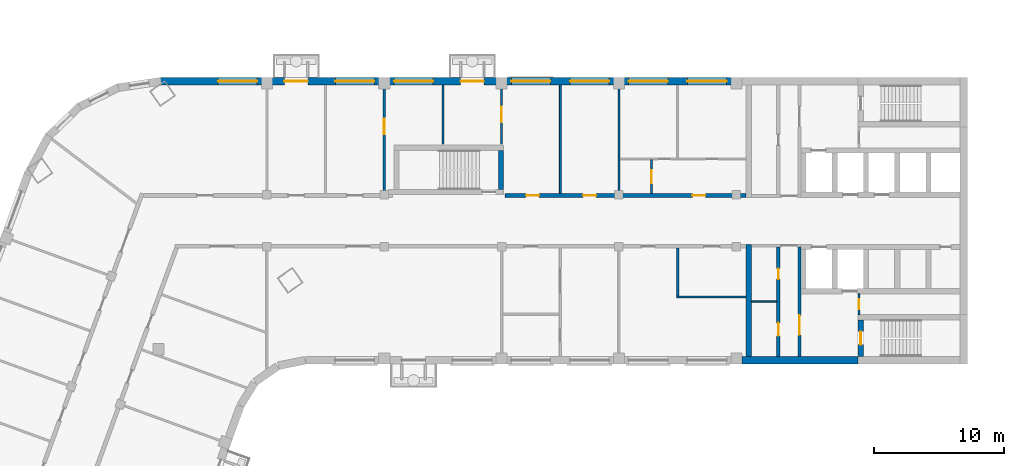
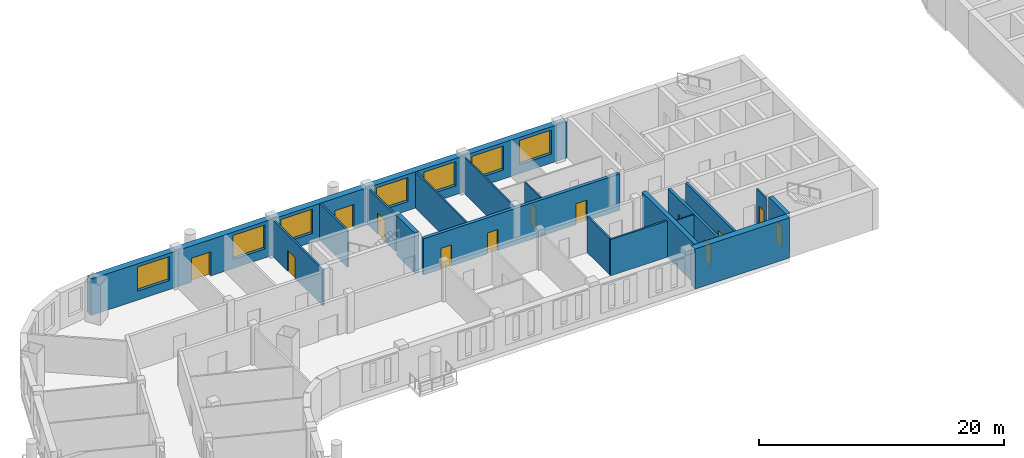
# One storey, part 5 of 16: 18 walls, 13 doors, 7 windows, 20 openings.
"""IFC4 building model written with IfcOpenShell, lengths in metres."""

from ifc_helpers import new_model, si_unit, direction, frame, frame_2d, origin, place, context, subcontext, project, spatial, rectangle, extrude, material, layer, layer_set, type_object, element, fill, save


model = new_model("IFC4")

# Units and contexts
model_context = context("Model", 3, precision=1e-05, world=origin(), true_north=direction((0.0, 1.0)))
body_context = subcontext(model_context, "Body", "Model", "MODEL_VIEW")
ifc_project = project(units=[si_unit("LENGTHUNIT", "METRE"), si_unit("AREAUNIT", "SQUARE_METRE"), si_unit("VOLUMEUNIT", "CUBIC_METRE"), si_unit("PLANEANGLEUNIT", "RADIAN"), si_unit("MASSUNIT", "GRAM", prefix="KILO")], contexts=[model_context])

# Site, building, storey
site_placement = place(None, origin())
site = spatial("IfcSite", under=ifc_project, at=site_placement, CompositionType="ELEMENT")
building_placement = place(site_placement, origin())
building = spatial("IfcBuilding", under=site, at=building_placement, Name="Skarvind Civic Tower", CompositionType="ELEMENT")
storey_placement = place(building_placement, frame((0.0, 0.0, 81.0)))
storey = spatial("IfcBuildingStorey", under=building, at=storey_placement, Name="L18", CompositionType="ELEMENT", Elevation=81.0)

# Wall, opening, door
ifc_material_1 = material(Name="Acoustic gypsum board on steel studs", Category="steel")
ifc_layer_1 = layer(ifc_material_1, 0.175048828125)
ifc_layer_set_1 = layer_set([ifc_layer_1], Name="ACOUSTIC MEETING-ROOM PARTITION 175")
wall_type_1 = type_object("IfcWallType", Name="ACOUSTIC MEETING-ROOM PARTITION 175", PredefinedType="PARTITIONING", material=ifc_layer_set_1)
wall_1_placement = place(storey_placement, frame((63.25, 130.10009765625, 0.0), z_axis=(0.0, 0.0, 1.0), x_axis=(0.0, 1.0, 0.0)))
wall_1 = element("IfcWall", 1, at=wall_1_placement, inside=storey, type_object=wall_type_1, Name="Partition 18.019", PredefinedType="PARTITIONING", context=body_context, shape_type="SweptSolid", body=[
    extrude(rectangle(XDim=8.2998046875, YDim=0.175048828125, at=frame_2d((4.14990234375, 0.0))), origin(), (0.0, 0.0, 1.0), 3.625),
])
opening_1_placement = place(wall_1_placement, frame((4.5400390625, 0.0, 0.0)))
opening_1 = element("IfcOpeningElement", 2, at=opening_1_placement, cuts=wall_1, Name="Opening L18-D008", PredefinedType="OPENING", context=body_context, shape_type="SweptSolid", body=[
    extrude(rectangle(XDim=1.199951171875, YDim=2.10009765625, at=frame_2d((0.60009765625, 1.050048828125))), frame((0.0, 0.097412109375, 0.0), z_axis=(0.0, -1.0, 0.0), x_axis=(1.0, 0.0, 0.0)), (0.0, 0.0, 1.0), 0.195068359375),
])
ifc_material_2 = material(Name="Timber door leaf", Category="wood")
door_type_1 = type_object("IfcDoorType", Name="DOOR 1200X2100 DOUBLE TIMBER", OperationType="NOTDEFINED", PredefinedType="DOOR", material=ifc_material_2)
door_1_placement = place(opening_1_placement, origin())
door_1 = element("IfcDoor", 3, at=door_1_placement, inside=storey, type_object=door_type_1, Name="Door L18-D008", OperationType="DOUBLE_DOOR_SINGLE_SWING", OverallHeight=2.10009765625, OverallWidth=1.199951171875, PredefinedType="DOOR", context=body_context, shape_type="SweptSolid", body=[
    extrude(rectangle(XDim=1.199951171875, YDim=2.10009765625, at=frame_2d((0.60009765625, 1.050048828125))), frame((0.0, 0.02490234375, 0.0), z_axis=(0.0, -1.0, 0.0), x_axis=(1.0, 0.0, 0.0)), (0.0, 0.0, 1.0), 0.050048828125),
])
fill(opening_1, door_1)

# Wall
wall_2_placement = place(storey_placement, frame((67.75, 133.89990234375, 0.0), z_axis=(0.0, 0.0, 1.0), x_axis=(0.0, 1.0, 0.0)))
element("IfcWall", 4, at=wall_2_placement, inside=storey, type_object=wall_type_1, Name="Partition 18.020", PredefinedType="PARTITIONING", context=body_context, shape_type="SweptSolid", body=[
    extrude(rectangle(XDim=4.5, YDim=0.175048828125, at=frame_2d((2.25, 0.0))), origin(), (0.0, 0.0, 1.0), 3.625),
])

# Wall, opening, door
wall_3_placement = place(storey_placement, frame((72.25, 133.89990234375, 0.0), z_axis=(0.0, 0.0, 1.0), x_axis=(0.0, 1.0, 0.0)))
wall_3 = element("IfcWall", 5, at=wall_3_placement, inside=storey, type_object=wall_type_1, Name="Partition 18.023", PredefinedType="PARTITIONING", context=body_context, shape_type="SweptSolid", body=[
    extrude(rectangle(XDim=4.5, YDim=0.175048828125, at=frame_2d((2.25, 0.0))), origin(), (0.0, 0.0, 1.0), 3.625),
])
opening_2_placement = place(wall_3_placement, frame((1.64990234375, 0.0, 0.0)))
opening_2 = element("IfcOpeningElement", 6, at=opening_2_placement, cuts=wall_3, Name="Opening L18-D007", PredefinedType="OPENING", context=body_context, shape_type="SweptSolid", body=[
    extrude(rectangle(XDim=1.199951171875, YDim=2.10009765625, at=frame_2d((0.60009765625, 1.050048828125))), frame((0.0, 0.097412109375, 0.0), z_axis=(0.0, -1.0, 0.0), x_axis=(1.0, 0.0, 0.0)), (0.0, 0.0, 1.0), 0.195068359375),
])
door_2_placement = place(opening_2_placement, origin())
door_2 = element("IfcDoor", 7, at=door_2_placement, inside=storey, type_object=door_type_1, Name="Door L18-D007", OperationType="DOUBLE_DOOR_SINGLE_SWING", OverallHeight=2.10009765625, OverallWidth=1.199951171875, PredefinedType="DOOR", context=body_context, shape_type="SweptSolid", body=[
    extrude(rectangle(XDim=1.199951171875, YDim=2.10009765625, at=frame_2d((0.60009765625, 1.050048828125))), frame((0.0, 0.02490234375, 0.0), z_axis=(0.0, -1.0, 0.0), x_axis=(1.0, 0.0, 0.0)), (0.0, 0.0, 1.0), 0.050048828125),
])
fill(opening_2, door_2)

# Walls
wall_4_placement = place(storey_placement, frame((85.75, 122.238037109375, 0.0), z_axis=(0.0, 0.0, 1.0), x_axis=(0.0, 1.0, 0.0)))
element("IfcWall", 8, at=wall_4_placement, inside=storey, type_object=wall_type_1, Name="Partition 18.031", PredefinedType="PARTITIONING", context=body_context, shape_type="SweptSolid", body=[
    extrude(rectangle(XDim=3.661865234375, YDim=0.175048828125, at=frame_2d((1.8310546875, 0.0))), origin(), (0.0, 0.0, 1.0), 3.625),
])
wall_5_placement = place(storey_placement, frame((91.0, 122.14990234375, 0.0), z_axis=(0.0, 0.0, 1.0), x_axis=(-1.0, 0.0, 0.0)))
element("IfcWall", 9, at=wall_5_placement, inside=storey, type_object=wall_type_1, Name="Partition 18.033", PredefinedType="PARTITIONING", context=body_context, shape_type="SweptSolid", body=[
    extrude(rectangle(XDim=5.337890625, YDim=0.175048828125, at=frame_2d((2.6689453125, 0.0))), origin(), (0.0, 0.0, 1.0), 3.625),
])

# Wall, openings, doors
ifc_material_3 = material(Name="Fire-rated gypsum board on steel studs", Category="steel")
ifc_layer_2 = layer(ifc_material_3, 0.300048828125)
ifc_layer_set_2 = layer_set([ifc_layer_2], Name="CORRIDOR WALL 300")
wall_type_2 = type_object("IfcWallType", Name="CORRIDOR WALL 300", PredefinedType="PARTITIONING", material=ifc_layer_set_2)
wall_6_placement = place(storey_placement, frame((72.5, 129.949951171875, 0.0), z_axis=(0.0, 0.0, 1.0), x_axis=(1.0, 0.0, 0.0)))
wall_6 = element("IfcWall", 10, at=wall_6_placement, inside=storey, type_object=wall_type_2, Name="Partition 18.024", PredefinedType="PARTITIONING", context=body_context, shape_type="SweptSolid", body=[
    extrude(rectangle(XDim=18.5, YDim=0.300048828125, at=frame_2d((9.25, 0.0))), origin(), (0.0, 0.0, 1.0), 3.625),
])
opening_3_placement = place(wall_6_placement, frame((14.375, 0.0, 0.0)))
opening_3 = element("IfcOpeningElement", 11, at=opening_3_placement, cuts=wall_6, Name="Opening L18-D001", PredefinedType="OPENING", context=body_context, shape_type="SweptSolid", body=[
    extrude(rectangle(XDim=1.0, YDim=2.10009765625, at=frame_2d((0.5, 1.050048828125))), frame((0.0, 0.159912109375, 0.0), z_axis=(0.0, -1.0, 0.0), x_axis=(1.0, 0.0, 0.0)), (0.0, 0.0, 1.0), 0.320068359375),
])
opening_4_placement = place(wall_6_placement, frame((6.0, 0.0, 0.0)))
opening_4 = element("IfcOpeningElement", 12, at=opening_4_placement, cuts=wall_6, Name="Opening L18-D005", PredefinedType="OPENING", context=body_context, shape_type="SweptSolid", body=[
    extrude(rectangle(XDim=1.0, YDim=2.10009765625, at=frame_2d((0.5, 1.050048828125))), frame((0.0, 0.159912109375, 0.0), z_axis=(0.0, -1.0, 0.0), x_axis=(1.0, 0.0, 0.0)), (0.0, 0.0, 1.0), 0.320068359375),
])
opening_5_placement = place(wall_6_placement, frame((1.625, 0.0, 0.0)))
opening_5 = element("IfcOpeningElement", 13, at=opening_5_placement, cuts=wall_6, Name="Opening L18-D006", PredefinedType="OPENING", context=body_context, shape_type="SweptSolid", body=[
    extrude(rectangle(XDim=1.0, YDim=2.10009765625, at=frame_2d((0.5, 1.050048828125))), frame((0.0, 0.159912109375, 0.0), z_axis=(0.0, -1.0, 0.0), x_axis=(1.0, 0.0, 0.0)), (0.0, 0.0, 1.0), 0.320068359375),
])
ifc_material_4 = material(Name="Fire-rated timber door leaf", Category="wood")
door_type_2 = type_object("IfcDoorType", Name="FD1 1000x2100", OperationType="NOTDEFINED", PredefinedType="DOOR", material=ifc_material_4)
door_3_placement = place(opening_3_placement, origin())
door_3 = element("IfcDoor", 14, at=door_3_placement, inside=storey, type_object=door_type_2, Name="Door L18-D001", OperationType="SINGLE_SWING_LEFT", OverallHeight=2.10009765625, OverallWidth=1.0, PredefinedType="DOOR", context=body_context, shape_type="SweptSolid", body=[
    extrude(rectangle(XDim=1.0, YDim=2.10009765625, at=frame_2d((0.5, 1.050048828125))), frame((0.0, 0.02490234375, 0.0), z_axis=(0.0, -1.0, 0.0), x_axis=(1.0, 0.0, 0.0)), (0.0, 0.0, 1.0), 0.050048828125),
])
fill(opening_3, door_3)
door_4_placement = place(opening_4_placement, origin())
door_4 = element("IfcDoor", 15, at=door_4_placement, inside=storey, type_object=door_type_2, Name="Door L18-D005", OperationType="SINGLE_SWING_RIGHT", OverallHeight=2.10009765625, OverallWidth=1.0, PredefinedType="DOOR", context=body_context, shape_type="SweptSolid", body=[
    extrude(rectangle(XDim=1.0, YDim=2.10009765625, at=frame_2d((0.5, 1.050048828125))), frame((0.0, 0.02490234375, 0.0), z_axis=(0.0, -1.0, 0.0), x_axis=(1.0, 0.0, 0.0)), (0.0, 0.0, 1.0), 0.050048828125),
])
fill(opening_4, door_4)
door_5_placement = place(opening_5_placement, origin())
door_5 = element("IfcDoor", 16, at=door_5_placement, inside=storey, type_object=door_type_2, Name="Door L18-D006", OperationType="SINGLE_SWING_LEFT", OverallHeight=2.10009765625, OverallWidth=1.0, PredefinedType="DOOR", context=body_context, shape_type="SweptSolid", body=[
    extrude(rectangle(XDim=1.0, YDim=2.10009765625, at=frame_2d((0.5, 1.050048828125))), frame((0.0, 0.02490234375, 0.0), z_axis=(0.0, -1.0, 0.0), x_axis=(1.0, 0.0, 0.0)), (0.0, 0.0, 1.0), 0.050048828125),
])
fill(opening_5, door_5)

# Wall, opening, door
ifc_material_5 = material(Name="Fire-rated masonry partition", Category="masonry")
ifc_layer_3 = layer(ifc_material_5, 0.199951171875)
ifc_layer_set_3 = layer_set([ifc_layer_3], Name="Core enclosure wall 200")
wall_type_3 = type_object("IfcWallType", Name="Core enclosure wall 200", PredefinedType="PARTITIONING", material=ifc_layer_set_3)
wall_7_placement = place(storey_placement, frame((95.10009765625, 117.60009765625, 0.0), z_axis=(0.0, 0.0, 1.0), x_axis=(0.0, 1.0, 0.0)))
wall_7 = element("IfcWall", 17, at=wall_7_placement, inside=storey, type_object=wall_type_3, Name="Core wall C1", PredefinedType="PARTITIONING", context=body_context, shape_type="SweptSolid", body=[
    extrude(rectangle(XDim=8.39990234375, YDim=0.199951171875, at=frame_2d((4.199951171875, 0.0))), origin(), (0.0, 0.0, 1.0), 3.625),
])
opening_6_placement = place(wall_7_placement, frame((1.64990234375, 0.0, 0.0)))
opening_6 = element("IfcOpeningElement", 18, at=opening_6_placement, cuts=wall_7, Name="Opening D-L18-C1-06", PredefinedType="OPENING", context=body_context, shape_type="SweptSolid", body=[
    extrude(rectangle(XDim=1.5, YDim=2.10009765625, at=frame_2d((0.75, 1.050048828125))), frame((0.0, 0.10986328125, 0.0), z_axis=(0.0, -1.0, 0.0), x_axis=(1.0, 0.0, 0.0)), (0.0, 0.0, 1.0), 0.219970703125),
])
ifc_material_6 = material(Name="Fire-rated steel door", Category="steel")
door_type_3 = type_object("IfcDoorType", Name="Fire door 1500", OperationType="NOTDEFINED", PredefinedType="DOOR", material=ifc_material_6)
door_6_placement = place(opening_6_placement, origin())
door_6 = element("IfcDoor", 19, at=door_6_placement, inside=storey, type_object=door_type_3, Name="Fire door", OperationType="DOUBLE_DOOR_SINGLE_SWING", OverallHeight=2.10009765625, OverallWidth=1.5, PredefinedType="DOOR", context=body_context, shape_type="SweptSolid", body=[
    extrude(rectangle(XDim=1.5, YDim=2.10009765625, at=frame_2d((0.75, 1.050048828125))), frame((0.0, 0.02490234375, 0.0), z_axis=(0.0, -1.0, 0.0), x_axis=(1.0, 0.0, 0.0)), (0.0, 0.0, 1.0), 0.050048828125),
])
fill(opening_6, door_6)

# Wall
ifc_material_7 = material(Name="Fire-rated plasterboard partition")
ifc_layer_4 = layer(ifc_material_7, 0.10009765625)
ifc_layer_set_4 = layer_set([ifc_layer_4], Name="Core partition wall 100")
wall_type_4 = type_object("IfcWallType", Name="Core partition wall 100", PredefinedType="PARTITIONING", material=ifc_layer_set_4)
wall_8_placement = place(storey_placement, frame((93.35009765625, 121.800048828125, 0.0), z_axis=(0.0, 0.0, 1.0), x_axis=(-1.0, 0.0, 0.0)))
element("IfcWall", 20, at=wall_8_placement, inside=storey, type_object=wall_type_4, Name="Core wall C1", PredefinedType="PARTITIONING", context=body_context, shape_type="SweptSolid", body=[
    extrude(rectangle(XDim=1.9501953125, YDim=0.10009765625, at=frame_2d((0.97509765625, 0.0))), origin(), (0.0, 0.0, 1.0), 3.625),
])

# Wall, opening, door
ifc_material_8 = material(Name="Concrete C80", Category="concrete")
ifc_layer_5 = layer(ifc_material_8, 0.39990234375)
ifc_layer_set_5 = layer_set([ifc_layer_5], Name="Core wall 400 C80")
wall_type_5 = type_object("IfcWallType", Name="Core wall 400 C80", PredefinedType="SHEAR", material=ifc_layer_set_5)
wall_9_placement = place(storey_placement, frame((99.800048828125, 120.39990234375, 0.0), z_axis=(0.0, 0.0, 1.0), x_axis=(0.0, -1.0, 0.0)))
wall_9 = element("IfcWall", 21, at=wall_9_placement, inside=storey, type_object=wall_type_5, Name="Core wall C1 north stair end L18", PredefinedType="SHEAR", context=body_context, shape_type="SweptSolid", body=[
    extrude(rectangle(XDim=2.7998046875, YDim=0.39990234375, at=frame_2d((1.39990234375, 0.0))), origin(), (0.0, 0.0, 1.0), 4.0),
])
opening_7_placement = place(wall_9_placement, frame((0.89990234375, 0.0, 0.0)))
opening_7 = element("IfcOpeningElement", 22, at=opening_7_placement, cuts=wall_9, Name="Opening D-L18-C1-07", PredefinedType="OPENING", context=body_context, shape_type="SweptSolid", body=[
    extrude(rectangle(XDim=1.0, YDim=2.10009765625, at=frame_2d((0.5, 1.050048828125))), frame((0.0, 0.2099609375, 0.0), z_axis=(0.0, -1.0, 0.0), x_axis=(1.0, 0.0, 0.0)), (0.0, 0.0, 1.0), 0.419921875),
])
door_type_4 = type_object("IfcDoorType", Name="Fire door 1000", OperationType="NOTDEFINED", PredefinedType="DOOR", material=ifc_material_6)
door_7_placement = place(opening_7_placement, origin())
door_7 = element("IfcDoor", 23, at=door_7_placement, inside=storey, type_object=door_type_4, Name="Fire door", OperationType="SINGLE_SWING_LEFT", OverallHeight=2.10009765625, OverallWidth=1.0, PredefinedType="DOOR", context=body_context, shape_type="SweptSolid", body=[
    extrude(rectangle(XDim=1.0, YDim=2.10009765625, at=frame_2d((0.5, 1.050048828125))), frame((0.0, 0.02490234375, 0.0), z_axis=(0.0, -1.0, 0.0), x_axis=(1.0, 0.0, 0.0)), (0.0, 0.0, 1.0), 0.050048828125),
])
fill(opening_7, door_7)

# Walls
wall_10_placement = place(storey_placement, frame((91.199951171875, 126.199951171875, 0.0), z_axis=(0.0, 0.0, 1.0), x_axis=(0.0, -1.0, 0.0)))
element("IfcWall", 24, at=wall_10_placement, inside=storey, type_object=wall_type_5, Name="Core wall C1 north inner face L18", PredefinedType="SHEAR", context=body_context, shape_type="SweptSolid", body=[
    extrude(rectangle(XDim=8.599853515625, YDim=0.39990234375, at=frame_2d((4.2998046875, 0.0))), origin(), (0.0, 0.0, 1.0), 4.0),
])
wall_11_placement = place(storey_placement, frame((72.199951171875, 130.39990234375, 0.0), z_axis=(0.0, 0.0, 1.0), x_axis=(0.0, 1.0, 0.0)))
element("IfcWall", 25, at=wall_11_placement, inside=storey, type_object=wall_type_5, Name="Core wall CM end L18", PredefinedType="SHEAR", context=body_context, shape_type="SweptSolid", body=[
    extrude(rectangle(XDim=3.0, YDim=0.39990234375, at=frame_2d((1.5, 0.0))), origin(), (0.0, 0.0, 1.0), 4.0),
])
ifc_layer_6 = layer(ifc_material_8, 0.60009765625)
ifc_layer_set_6 = layer_set([ifc_layer_6], Name="Core wall 600 C80")
wall_type_6 = type_object("IfcWallType", Name="Core wall 600 C80", PredefinedType="SHEAR", material=ifc_layer_set_6)
wall_12_placement = place(storey_placement, frame((99.60009765625, 117.300048828125, 0.0), z_axis=(0.0, 0.0, 1.0), x_axis=(-1.0, 0.0, 0.0)))
element("IfcWall", 26, at=wall_12_placement, inside=storey, type_object=wall_type_6, Name="Core wall C1 north side L18", PredefinedType="SHEAR", context=body_context, shape_type="SweptSolid", body=[
    extrude(rectangle(XDim=8.925048828125, YDim=0.60009765625, at=frame_2d((4.46240234375, 0.0))), origin(), (0.0, 0.0, 1.0), 4.0),
])
ifc_material_9 = material(Name="Plasterboard partition on steel studs", Category="steel")
ifc_layer_7 = layer(ifc_material_9, 0.14990234375)
ifc_layer_set_7 = layer_set([ifc_layer_7], Name="PARTITION 150")
wall_type_7 = type_object("IfcWallType", Name="PARTITION 150", PredefinedType="PARTITIONING", material=ifc_layer_set_7)
wall_13_placement = place(storey_placement, frame((76.75, 130.10009765625, 0.0), z_axis=(0.0, 0.0, 1.0), x_axis=(0.0, 1.0, 0.0)))
element("IfcWall", 27, at=wall_13_placement, inside=storey, type_object=wall_type_7, Name="Partition 18.026", PredefinedType="PARTITIONING", context=body_context, shape_type="SweptSolid", body=[
    extrude(rectangle(XDim=8.2998046875, YDim=0.14990234375, at=frame_2d((4.14990234375, 0.0))), origin(), (0.0, 0.0, 1.0), 3.625),
])

# Wall, opening, door
ifc_layer_8 = layer(ifc_material_5, 0.125)
ifc_layer_set_8 = layer_set([ifc_layer_8], Name="Riser wall 125")
wall_type_8 = type_object("IfcWallType", Name="Riser wall 125", PredefinedType="PARTITIONING", material=ifc_layer_set_8)
wall_14_placement = place(storey_placement, frame((99.66259765625, 120.800048828125, 0.0), z_axis=(0.0, 0.0, 1.0), x_axis=(0.0, 1.0, 0.0)))
wall_14 = element("IfcWall", 28, at=wall_14_placement, inside=storey, type_object=wall_type_8, Name="Core wall C1", PredefinedType="PARTITIONING", context=body_context, shape_type="SweptSolid", body=[
    extrude(rectangle(XDim=1.599853515625, YDim=0.125, at=frame_2d((0.7998046875, 0.0))), origin(), (0.0, 0.0, 1.0), 3.625),
])
opening_8_placement = place(wall_14_placement, frame((0.39990234375, 0.0, 0.0)))
opening_8 = element("IfcOpeningElement", 29, at=opening_8_placement, cuts=wall_14, Name="Opening D-L18-C1-08", PredefinedType="OPENING", context=body_context, shape_type="SweptSolid", body=[
    extrude(rectangle(XDim=0.800048828125, YDim=2.10009765625, at=frame_2d((0.39990234375, 1.050048828125))), frame((0.0, 0.072509765625, 0.0), z_axis=(0.0, -1.0, 0.0), x_axis=(1.0, 0.0, 0.0)), (0.0, 0.0, 1.0), 0.14501953125),
])
door_type_5 = type_object("IfcDoorType", Name="Core riser door 800", OperationType="NOTDEFINED", PredefinedType="DOOR", material=ifc_material_6)
door_8_placement = place(opening_8_placement, origin())
door_8 = element("IfcDoor", 30, at=door_8_placement, inside=storey, type_object=door_type_5, Name="Riser door", OperationType="SINGLE_SWING_RIGHT", OverallHeight=2.10009765625, OverallWidth=0.800048828125, PredefinedType="DOOR", context=body_context, shape_type="SweptSolid", body=[
    extrude(rectangle(XDim=0.800048828125, YDim=2.10009765625, at=frame_2d((0.39990234375, 1.050048828125))), frame((0.0, 0.02490234375, 0.0), z_axis=(0.0, -1.0, 0.0), x_axis=(1.0, 0.0, 0.0)), (0.0, 0.0, 1.0), 0.050048828125),
])
fill(opening_8, door_8)

# Wall, openings, doors
ifc_layer_9 = layer(ifc_material_5, 0.25)
ifc_layer_set_9 = layer_set([ifc_layer_9], Name="Service block wall 250")
wall_type_9 = type_object("IfcWallType", Name="Service block wall 250", PredefinedType="PARTITIONING", material=ifc_layer_set_9)
wall_15_placement = place(storey_placement, frame((93.47509765625, 117.60009765625, 0.0), z_axis=(0.0, 0.0, 1.0), x_axis=(0.0, 1.0, 0.0)))
wall_15 = element("IfcWall", 31, at=wall_15_placement, inside=storey, type_object=wall_type_9, Name="Core wall C1", PredefinedType="PARTITIONING", context=body_context, shape_type="SweptSolid", body=[
    extrude(rectangle(XDim=8.39990234375, YDim=0.25, at=frame_2d((4.199951171875, 0.0))), origin(), (0.0, 0.0, 1.0), 3.625),
])
opening_9_placement = place(wall_15_placement, frame((5.925048828125, 0.0, 0.0)))
opening_9 = element("IfcOpeningElement", 32, at=opening_9_placement, cuts=wall_15, Name="Opening D-L18-C1-09", PredefinedType="OPENING", context=body_context, shape_type="SweptSolid", body=[
    extrude(rectangle(XDim=0.800048828125, YDim=2.10009765625, at=frame_2d((0.39990234375, 1.050048828125))), frame((0.0, 0.135009765625, 0.0), z_axis=(0.0, -1.0, 0.0), x_axis=(1.0, 0.0, 0.0)), (0.0, 0.0, 1.0), 0.27001953125),
])
opening_10_placement = place(wall_15_placement, frame((1.574951171875, 0.0, 0.0)))
opening_10 = element("IfcOpeningElement", 33, at=opening_10_placement, cuts=wall_15, Name="Opening D-L18-C1-10", PredefinedType="OPENING", context=body_context, shape_type="SweptSolid", body=[
    extrude(rectangle(XDim=1.0, YDim=2.10009765625, at=frame_2d((0.5, 1.050048828125))), frame((0.0, 0.135009765625, 0.0), z_axis=(0.0, -1.0, 0.0), x_axis=(1.0, 0.0, 0.0)), (0.0, 0.0, 1.0), 0.27001953125),
])
door_9_placement = place(opening_9_placement, origin())
door_9 = element("IfcDoor", 34, at=door_9_placement, inside=storey, type_object=door_type_5, Name="Riser door", OperationType="SINGLE_SWING_LEFT", OverallHeight=2.10009765625, OverallWidth=0.800048828125, PredefinedType="DOOR", context=body_context, shape_type="SweptSolid", body=[
    extrude(rectangle(XDim=0.800048828125, YDim=2.10009765625, at=frame_2d((0.39990234375, 1.050048828125))), frame((0.0, 0.02490234375, 0.0), z_axis=(0.0, -1.0, 0.0), x_axis=(1.0, 0.0, 0.0)), (0.0, 0.0, 1.0), 0.050048828125),
])
fill(opening_9, door_9)
door_10_placement = place(opening_10_placement, origin())
door_10 = element("IfcDoor", 35, at=door_10_placement, inside=storey, type_object=door_type_4, Name="Fire door", OperationType="SINGLE_SWING_RIGHT", OverallHeight=2.10009765625, OverallWidth=1.0, PredefinedType="DOOR", context=body_context, shape_type="SweptSolid", body=[
    extrude(rectangle(XDim=1.0, YDim=2.10009765625, at=frame_2d((0.5, 1.050048828125))), frame((0.0, 0.02490234375, 0.0), z_axis=(0.0, -1.0, 0.0), x_axis=(1.0, 0.0, 0.0)), (0.0, 0.0, 1.0), 0.050048828125),
])
fill(opening_10, door_10)

# Wall
ifc_material_10 = material(Name="Moisture-resistant gypsum board on steel studs", Category="steel")
ifc_layer_10 = layer(ifc_material_10, 0.125)
ifc_layer_set_10 = layer_set([ifc_layer_10], Name="WC PARTITION 125")
wall_type_10 = type_object("IfcWallType", Name="WC PARTITION 125", PredefinedType="PARTITIONING", material=ifc_layer_set_10)
wall_16_placement = place(storey_placement, frame((81.25, 130.10009765625, 0.0), z_axis=(0.0, 0.0, 1.0), x_axis=(0.0, 1.0, 0.0)))
element("IfcWall", 36, at=wall_16_placement, inside=storey, type_object=wall_type_10, Name="Partition 18.028", PredefinedType="PARTITIONING", context=body_context, shape_type="SweptSolid", body=[
    extrude(rectangle(XDim=8.2998046875, YDim=0.125, at=frame_2d((4.14990234375, 0.0))), origin(), (0.0, 0.0, 1.0), 3.625),
])

# Wall, opening, door
wall_17_placement = place(storey_placement, frame((83.75, 130.10009765625, 0.0), z_axis=(0.0, 0.0, 1.0), x_axis=(0.0, 1.0, 0.0)))
wall_17 = element("IfcWall", 37, at=wall_17_placement, inside=storey, type_object=wall_type_10, Name="Partition 18.030", PredefinedType="PARTITIONING", context=body_context, shape_type="SweptSolid", body=[
    extrude(rectangle(XDim=2.587890625, YDim=0.125, at=frame_2d((1.2939453125, 0.0))), origin(), (0.0, 0.0, 1.0), 3.625),
])
opening_11_placement = place(wall_17_placement, frame((0.7939453125, 0.0, 0.0)))
opening_11 = element("IfcOpeningElement", 38, at=opening_11_placement, cuts=wall_17, Name="Opening L18-D002", PredefinedType="OPENING", context=body_context, shape_type="SweptSolid", body=[
    extrude(rectangle(XDim=1.0, YDim=2.10009765625, at=frame_2d((0.5, 1.050048828125))), frame((0.0, 0.072509765625, 0.0), z_axis=(0.0, -1.0, 0.0), x_axis=(1.0, 0.0, 0.0)), (0.0, 0.0, 1.0), 0.14501953125),
])
door_type_6 = type_object("IfcDoorType", Name="D1 1000x2100", OperationType="NOTDEFINED", PredefinedType="DOOR", material=ifc_material_2)
door_11_placement = place(opening_11_placement, origin())
door_11 = element("IfcDoor", 39, at=door_11_placement, inside=storey, type_object=door_type_6, Name="Door L18-D002", OperationType="SINGLE_SWING_RIGHT", OverallHeight=2.10009765625, OverallWidth=1.0, PredefinedType="DOOR", context=body_context, shape_type="SweptSolid", body=[
    extrude(rectangle(XDim=1.0, YDim=2.10009765625, at=frame_2d((0.5, 1.050048828125))), frame((0.0, 0.02490234375, 0.0), z_axis=(0.0, -1.0, 0.0), x_axis=(1.0, 0.0, 0.0)), (0.0, 0.0, 1.0), 0.050048828125),
])
fill(opening_11, door_11)

# Wall, openings, doors, windows
ifc_material_11 = material(Name="Limestone masonry cladding on insulated backing", Category="masonry")
ifc_layer_11 = layer(ifc_material_11, 0.60009765625)
ifc_layer_set_11 = layer_set([ifc_layer_11], Name="WX1 STONE FACADE WALL 600")
wall_type_11 = type_object("IfcWallType", Name="WX1 STONE FACADE WALL 600", PredefinedType="SOLIDWALL", material=ifc_layer_set_11)
wall_18_placement = place(storey_placement, frame((46.095458984375, 138.699951171875, 0.0), z_axis=(0.0, 0.0, 1.0), x_axis=(1.0, 0.0, 0.0)))
wall_18 = element("IfcWall", 40, at=wall_18_placement, inside=storey, type_object=wall_type_11, Name="STONE FACADE WALL", PredefinedType="SOLIDWALL", context=body_context, shape_type="SweptSolid", body=[
    extrude(rectangle(XDim=44.884521484375, YDim=0.60009765625, at=frame_2d((22.4423828125, 0.0))), origin(), (0.0, 0.0, 1.0), 3.625),
])
opening_12_placement = place(wall_18_placement, frame((4.404541015625, 0.0, 0.89990234375)))
opening_12 = element("IfcOpeningElement", 41, at=opening_12_placement, cuts=wall_18, Name="Opening WN1", PredefinedType="OPENING", context=body_context, shape_type="SweptSolid", body=[
    extrude(rectangle(XDim=3.0, YDim=2.39990234375, at=frame_2d((1.5, 1.199951171875))), frame((0.0, 0.31005859375, 0.0), z_axis=(0.0, -1.0, 0.0), x_axis=(1.0, 0.0, 0.0)), (0.0, 0.0, 1.0), 0.6201171875),
])
opening_13_placement = place(wall_18_placement, frame((9.50439453125, 0.0, 0.0)))
opening_13 = element("IfcOpeningElement", 42, at=opening_13_placement, cuts=wall_18, Name="Opening DX3", PredefinedType="OPENING", context=body_context, shape_type="SweptSolid", body=[
    extrude(rectangle(XDim=1.800048828125, YDim=2.39990234375, at=frame_2d((0.89990234375, 1.199951171875))), frame((0.0, 0.31005859375, 0.0), z_axis=(0.0, -1.0, 0.0), x_axis=(1.0, 0.0, 0.0)), (0.0, 0.0, 1.0), 0.6201171875),
])
opening_14_placement = place(wall_18_placement, frame((13.404541015625, 0.0, 0.89990234375)))
opening_14 = element("IfcOpeningElement", 43, at=opening_14_placement, cuts=wall_18, Name="Opening WN1", PredefinedType="OPENING", context=body_context, shape_type="SweptSolid", body=[
    extrude(rectangle(XDim=3.0, YDim=2.39990234375, at=frame_2d((1.5, 1.199951171875))), frame((0.0, 0.31005859375, 0.0), z_axis=(0.0, -1.0, 0.0), x_axis=(1.0, 0.0, 0.0)), (0.0, 0.0, 1.0), 0.6201171875),
])
opening_15_placement = place(wall_18_placement, frame((17.904541015625, 0.0, 0.89990234375)))
opening_15 = element("IfcOpeningElement", 44, at=opening_15_placement, cuts=wall_18, Name="Opening WN1", PredefinedType="OPENING", context=body_context, shape_type="SweptSolid", body=[
    extrude(rectangle(XDim=3.0, YDim=2.39990234375, at=frame_2d((1.5, 1.199951171875))), frame((0.0, 0.31005859375, 0.0), z_axis=(0.0, -1.0, 0.0), x_axis=(1.0, 0.0, 0.0)), (0.0, 0.0, 1.0), 0.6201171875),
])
opening_16_placement = place(wall_18_placement, frame((23.00439453125, 0.0, 0.0)))
opening_16 = element("IfcOpeningElement", 45, at=opening_16_placement, cuts=wall_18, Name="Opening DX3", PredefinedType="OPENING", context=body_context, shape_type="SweptSolid", body=[
    extrude(rectangle(XDim=1.800048828125, YDim=2.39990234375, at=frame_2d((0.89990234375, 1.199951171875))), frame((0.0, 0.31005859375, 0.0), z_axis=(0.0, -1.0, 0.0), x_axis=(1.0, 0.0, 0.0)), (0.0, 0.0, 1.0), 0.6201171875),
])
opening_17_placement = place(wall_18_placement, frame((26.904541015625, 0.0, 0.89990234375)))
opening_17 = element("IfcOpeningElement", 46, at=opening_17_placement, cuts=wall_18, Name="Opening WN1", PredefinedType="OPENING", context=body_context, shape_type="SweptSolid", body=[
    extrude(rectangle(XDim=3.0, YDim=2.39990234375, at=frame_2d((1.5, 1.199951171875))), frame((0.0, 0.31005859375, 0.0), z_axis=(0.0, -1.0, 0.0), x_axis=(1.0, 0.0, 0.0)), (0.0, 0.0, 1.0), 0.6201171875),
])
opening_18_placement = place(wall_18_placement, frame((31.404541015625, 0.0, 0.89990234375)))
opening_18 = element("IfcOpeningElement", 47, at=opening_18_placement, cuts=wall_18, Name="Opening WN1", PredefinedType="OPENING", context=body_context, shape_type="SweptSolid", body=[
    extrude(rectangle(XDim=3.0, YDim=2.39990234375, at=frame_2d((1.5, 1.199951171875))), frame((0.0, 0.31005859375, 0.0), z_axis=(0.0, -1.0, 0.0), x_axis=(1.0, 0.0, 0.0)), (0.0, 0.0, 1.0), 0.6201171875),
])
opening_19_placement = place(wall_18_placement, frame((35.904541015625, 0.0, 0.89990234375)))
opening_19 = element("IfcOpeningElement", 48, at=opening_19_placement, cuts=wall_18, Name="Opening WN1", PredefinedType="OPENING", context=body_context, shape_type="SweptSolid", body=[
    extrude(rectangle(XDim=3.0, YDim=2.39990234375, at=frame_2d((1.5, 1.199951171875))), frame((0.0, 0.31005859375, 0.0), z_axis=(0.0, -1.0, 0.0), x_axis=(1.0, 0.0, 0.0)), (0.0, 0.0, 1.0), 0.6201171875),
])
opening_20_placement = place(wall_18_placement, frame((40.404541015625, 0.0, 0.89990234375)))
opening_20 = element("IfcOpeningElement", 49, at=opening_20_placement, cuts=wall_18, Name="Opening WN1", PredefinedType="OPENING", context=body_context, shape_type="SweptSolid", body=[
    extrude(rectangle(XDim=3.0, YDim=2.39990234375, at=frame_2d((1.5, 1.199951171875))), frame((0.0, 0.31005859375, 0.0), z_axis=(0.0, -1.0, 0.0), x_axis=(1.0, 0.0, 0.0)), (0.0, 0.0, 1.0), 0.6201171875),
])
ifc_material_12 = material(Name="Timber and glass doorset", Category="wood")
door_type_7 = type_object("IfcDoorType", Name="DX3 TERRACE DOORS 1800 x 2400", OperationType="NOTDEFINED", PredefinedType="DOOR", material=ifc_material_12)
door_12_placement = place(opening_13_placement, origin())
door_12 = element("IfcDoor", 50, at=door_12_placement, inside=storey, type_object=door_type_7, Name="TERRACE DOORS", OperationType="DOUBLE_DOOR_SINGLE_SWING", OverallHeight=2.39990234375, OverallWidth=1.800048828125, PredefinedType="DOOR", context=body_context, shape_type="SweptSolid", body=[
    extrude(rectangle(XDim=1.800048828125, YDim=2.39990234375, at=frame_2d((0.89990234375, 1.199951171875))), frame((0.0, 0.02490234375, 0.0), z_axis=(0.0, -1.0, 0.0), x_axis=(1.0, 0.0, 0.0)), (0.0, 0.0, 1.0), 0.050048828125),
])
fill(opening_13, door_12)
door_13_placement = place(opening_16_placement, origin())
door_13 = element("IfcDoor", 51, at=door_13_placement, inside=storey, type_object=door_type_7, Name="TERRACE DOORS", OperationType="DOUBLE_DOOR_SINGLE_SWING", OverallHeight=2.39990234375, OverallWidth=1.800048828125, PredefinedType="DOOR", context=body_context, shape_type="SweptSolid", body=[
    extrude(rectangle(XDim=1.800048828125, YDim=2.39990234375, at=frame_2d((0.89990234375, 1.199951171875))), frame((0.0, 0.02490234375, 0.0), z_axis=(0.0, -1.0, 0.0), x_axis=(1.0, 0.0, 0.0)), (0.0, 0.0, 1.0), 0.050048828125),
])
fill(opening_16, door_13)
ifc_material_13 = material(Name="Timber frame, double glazing, timber-lined reveal", Category="wood")
window_type = type_object("IfcWindowType", Name="WN1 PUNCHED STONE WINDOW 3000 x 2400", PartitioningType="SINGLE_PANEL", PredefinedType="WINDOW", material=ifc_material_13)
window_1_placement = place(opening_12_placement, origin())
window_1 = element("IfcWindow", 52, at=window_1_placement, inside=storey, type_object=window_type, Name="WN1 WINDOW", OverallHeight=2.39990234375, OverallWidth=3.0, PartitioningType="SINGLE_PANEL", PredefinedType="WINDOW", context=body_context, shape_type="SweptSolid", body=[
    extrude(rectangle(XDim=3.0, YDim=2.39990234375, at=frame_2d((1.5, 1.199951171875))), frame((0.0, 0.030029296875, 0.0), z_axis=(0.0, -1.0, 0.0), x_axis=(1.0, 0.0, 0.0)), (0.0, 0.0, 1.0), 0.06005859375),
])
fill(opening_12, window_1)
window_2_placement = place(opening_14_placement, origin())
window_2 = element("IfcWindow", 53, at=window_2_placement, inside=storey, type_object=window_type, Name="WN1 WINDOW", OverallHeight=2.39990234375, OverallWidth=3.0, PartitioningType="SINGLE_PANEL", PredefinedType="WINDOW", context=body_context, shape_type="SweptSolid", body=[
    extrude(rectangle(XDim=3.0, YDim=2.39990234375, at=frame_2d((1.5, 1.199951171875))), frame((0.0, 0.030029296875, 0.0), z_axis=(0.0, -1.0, 0.0), x_axis=(1.0, 0.0, 0.0)), (0.0, 0.0, 1.0), 0.06005859375),
])
fill(opening_14, window_2)
window_3_placement = place(opening_15_placement, origin())
window_3 = element("IfcWindow", 54, at=window_3_placement, inside=storey, type_object=window_type, Name="WN1 WINDOW", OverallHeight=2.39990234375, OverallWidth=3.0, PartitioningType="SINGLE_PANEL", PredefinedType="WINDOW", context=body_context, shape_type="SweptSolid", body=[
    extrude(rectangle(XDim=3.0, YDim=2.39990234375, at=frame_2d((1.5, 1.199951171875))), frame((0.0, 0.030029296875, 0.0), z_axis=(0.0, -1.0, 0.0), x_axis=(1.0, 0.0, 0.0)), (0.0, 0.0, 1.0), 0.06005859375),
])
fill(opening_15, window_3)
window_4_placement = place(opening_17_placement, origin())
window_4 = element("IfcWindow", 55, at=window_4_placement, inside=storey, type_object=window_type, Name="WN1 WINDOW", OverallHeight=2.39990234375, OverallWidth=3.0, PartitioningType="SINGLE_PANEL", PredefinedType="WINDOW", context=body_context, shape_type="SweptSolid", body=[
    extrude(rectangle(XDim=3.0, YDim=2.39990234375, at=frame_2d((1.5, 1.199951171875))), frame((0.0, 0.030029296875, 0.0), z_axis=(0.0, -1.0, 0.0), x_axis=(1.0, 0.0, 0.0)), (0.0, 0.0, 1.0), 0.06005859375),
])
fill(opening_17, window_4)
window_5_placement = place(opening_18_placement, origin())
window_5 = element("IfcWindow", 56, at=window_5_placement, inside=storey, type_object=window_type, Name="WN1 WINDOW", OverallHeight=2.39990234375, OverallWidth=3.0, PartitioningType="SINGLE_PANEL", PredefinedType="WINDOW", context=body_context, shape_type="SweptSolid", body=[
    extrude(rectangle(XDim=3.0, YDim=2.39990234375, at=frame_2d((1.5, 1.199951171875))), frame((0.0, 0.030029296875, 0.0), z_axis=(0.0, -1.0, 0.0), x_axis=(1.0, 0.0, 0.0)), (0.0, 0.0, 1.0), 0.06005859375),
])
fill(opening_18, window_5)
window_6_placement = place(opening_19_placement, origin())
window_6 = element("IfcWindow", 57, at=window_6_placement, inside=storey, type_object=window_type, Name="WN1 WINDOW", OverallHeight=2.39990234375, OverallWidth=3.0, PartitioningType="SINGLE_PANEL", PredefinedType="WINDOW", context=body_context, shape_type="SweptSolid", body=[
    extrude(rectangle(XDim=3.0, YDim=2.39990234375, at=frame_2d((1.5, 1.199951171875))), frame((0.0, 0.030029296875, 0.0), z_axis=(0.0, -1.0, 0.0), x_axis=(1.0, 0.0, 0.0)), (0.0, 0.0, 1.0), 0.06005859375),
])
fill(opening_19, window_6)
window_7_placement = place(opening_20_placement, origin())
window_7 = element("IfcWindow", 58, at=window_7_placement, inside=storey, type_object=window_type, Name="WN1 WINDOW", OverallHeight=2.39990234375, OverallWidth=3.0, PartitioningType="SINGLE_PANEL", PredefinedType="WINDOW", context=body_context, shape_type="SweptSolid", body=[
    extrude(rectangle(XDim=3.0, YDim=2.39990234375, at=frame_2d((1.5, 1.199951171875))), frame((0.0, 0.030029296875, 0.0), z_axis=(0.0, -1.0, 0.0), x_axis=(1.0, 0.0, 0.0)), (0.0, 0.0, 1.0), 0.06005859375),
])
fill(opening_20, window_7)

save(model, "model.ifc")
